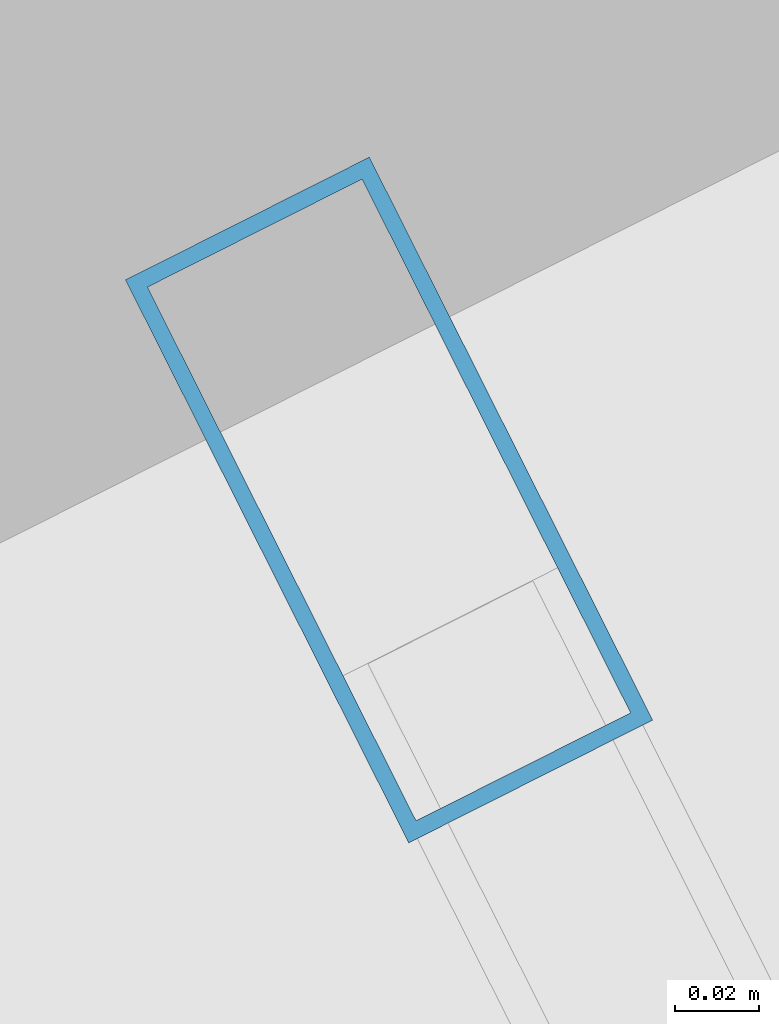
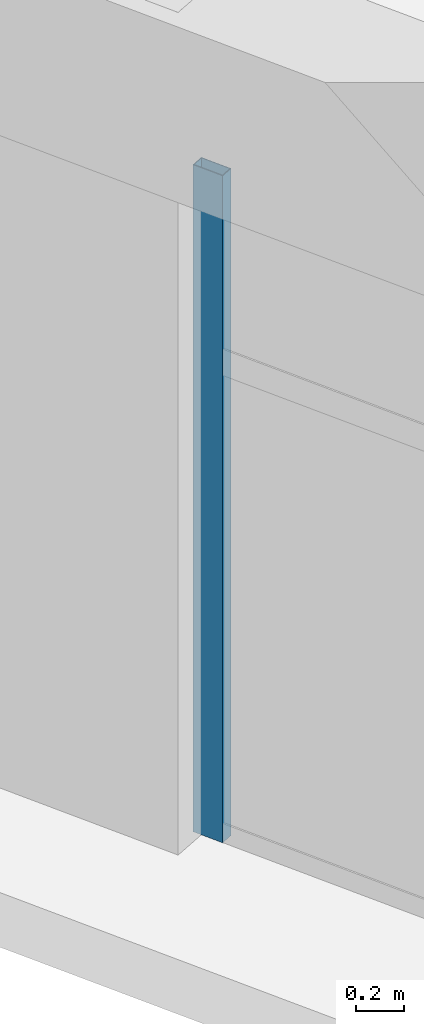
# One storey, part 12 of 30: 1 member, 1 element without a shape of its own.
"""IFC4 building model written with IfcOpenShell, lengths in metres."""

from ifc_helpers import new_model, si_unit, direction, frame, origin, origin_2d, place, context, subcontext, project, spatial, hollow_rectangle, extrude, source, transform, mapped, material, layer, layer_set, material_profile, profile_set, type_object, element, aggregate, save


model = new_model("IFC4")

# Units and contexts
model_context = context("Model", 3, precision=1e-05, world=origin(), true_north=direction((0.0, 1.0)))
body_context = subcontext(model_context, "Body", "Model", "MODEL_VIEW")
ifc_project = project(units=[si_unit("LENGTHUNIT", "METRE"), si_unit("AREAUNIT", "SQUARE_METRE"), si_unit("VOLUMEUNIT", "CUBIC_METRE"), si_unit("PLANEANGLEUNIT", "RADIAN"), si_unit("MASSUNIT", "GRAM", prefix="KILO")], contexts=[model_context])

# Site, building, storey
site_placement = place(None, origin())
site = spatial("IfcSite", under=ifc_project, at=site_placement, CompositionType="ELEMENT")
building_placement = place(site_placement, origin())
building = spatial("IfcBuilding", under=site, at=building_placement, Name="Liaohun Quay Tower", CompositionType="ELEMENT")
storey_placement = place(building_placement, frame((0.0, 0.0, 97.5)))
storey = spatial("IfcBuildingStorey", under=building, at=storey_placement, Name="L25", CompositionType="ELEMENT", Elevation=97.5)

# Curtain wall, member
ifc_material_1 = material(Name="Low-rise sky-lobby belvedere curtain wall")
ifc_layer = layer(ifc_material_1, 0.199951171875, Name="Low-rise sky-lobby belvedere curtain wall")
ifc_layer_set = layer_set([ifc_layer], Name="Low-rise sky-lobby belvedere curtain wall")
curtain_wall_type = type_object("IfcCurtainWallType", Name="CW-SKY-L25", PredefinedType="NOTDEFINED", material=ifc_layer_set)
curtain_wall_placement = place(storey_placement, origin())
curtain_wall = element("IfcCurtainWall", 1, at=curtain_wall_placement, inside=storey, type_object=curtain_wall_type, Name="L25 Panoramic Belvedere Curtain Wall 05", PredefinedType="NOTDEFINED")
ifc_material_2 = material(Name="Anodised aluminium 6063-T6", Category="aluminium")
ifc_material_profile = material_profile(ifc_material_2, hollow_rectangle(XDim=0.06494140625, YDim=0.14990234375, WallThickness=0.00390625, at=origin_2d()), Name="RHS150x65x4")
ifc_profile_set = profile_set([ifc_material_profile], Name="Anodised aluminium 6063-T6")
member_type = type_object("IfcMemberType", Name="MEM-CWM-SKY", PredefinedType="MULLION", material=ifc_profile_set)
shared_shape = source(origin(), body_context, "Body", "SweptSolid", [
    extrude(hollow_rectangle(XDim=0.06494140625, YDim=0.14990234375, WallThickness=0.00390625, at=origin_2d()), origin(), (0.0, 0.0, 1.0), 3.419921875),
])
member_placement = place(storey_placement, frame((29.021728515625, 56.073974609375, 0.0), z_axis=(0.0, 0.0, 1.0), x_axis=(0.893267968844, 0.449524566445, 0.0)))
member = element("IfcMember", 2, at=member_placement, type_object=member_type, Name="CW3 mullion 1", PredefinedType="MULLION", context=body_context, shape_type="MappedRepresentation", body=[
    mapped(shared_shape, transform((0.0, 0.0, 0.0), x_axis=(1.0, 0.0, 0.0), y_axis=(0.0, 1.0, 0.0), z_axis=(0.0, 0.0, 1.0), scale=1.0)),
])
aggregate(curtain_wall, [member])

save(model, "model.ifc")
